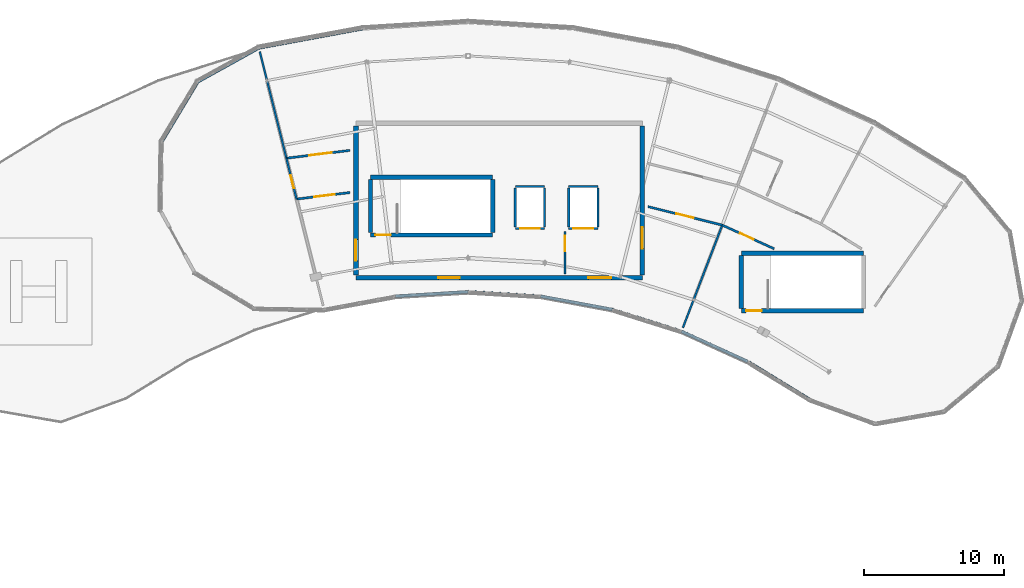
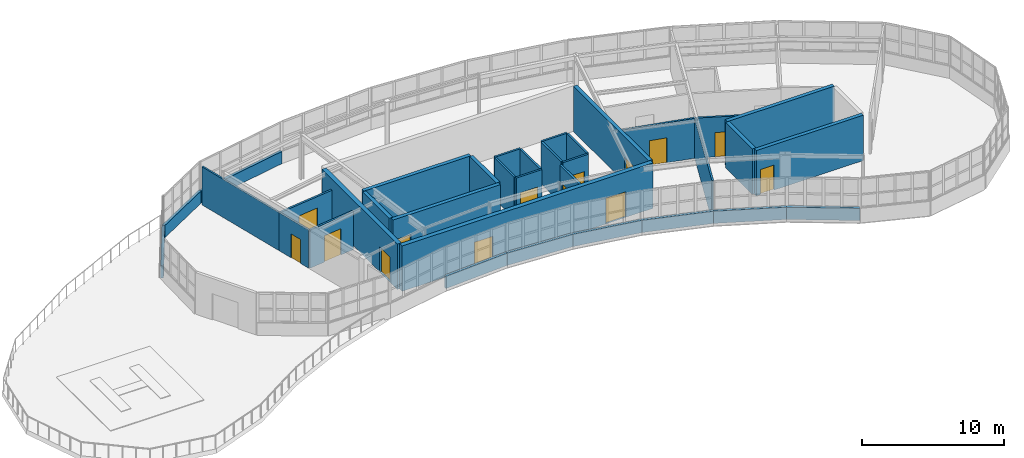
# One storey, part 24 of 26: 35 walls, 14 doors, 14 openings.
"""IFC4 building model written with IfcOpenShell, lengths in metres."""

import ifcopenshell
import ifcopenshell.guid

model = None  # the IFC model being written
_history = None  # IfcOwnerHistory: only IFC2X3 demands one
_inside = {}  # id of a spatial element -> (the spatial element, [elements in it])
_under = {}  # id of a project, library or spatial element -> (it, [spatial elements below it])
_declared = {}  # id of a project -> (the project, [libraries it declares])
_typed = {}  # id of a type object -> (the type object, [elements of that type])
_made_of = {}  # id of a material, layer set ... -> (it, [elements and type objects made of it])


def new_model(schema):
    """Start an empty IFC model of exactly this schema.

    Asked for "IFC4X3", IfcOpenShell would pick the latest addendum, in which some entities
    have other attributes; the version numbers below select the first issue.
    IFC2X3 requires an IfcOwnerHistory on every rooted entity: one is made here for all.
    """
    global model, _history
    if schema == "IFC4X3":
        model = ifcopenshell.file(schema_version=(4, 3, 0, 0))
    else:
        model = ifcopenshell.file(schema=schema)
    _inside.clear()
    _under.clear()
    _declared.clear()
    _typed.clear()
    _made_of.clear()
    _history = None
    if model.schema == "IFC2X3":
        org = make("IfcOrganization", Name="unknown")
        user = make(
            "IfcPersonAndOrganization",
            ThePerson=make("IfcPerson", FamilyName="unknown"),
            TheOrganization=org,
        )
        app = make(
            "IfcApplication",
            ApplicationDeveloper=org,
            Version="unknown",
            ApplicationFullName="unknown",
            ApplicationIdentifier="unknown",
        )
        _history = make(
            "IfcOwnerHistory",
            OwningUser=user,
            OwningApplication=app,
            ChangeAction="ADDED",
            CreationDate=0,
        )
    return model


def make(cls, **values):
    """One entity of the class cls with the attributes given. An attribute that is None is left unset."""
    return model.create_entity(
        cls, **{name: value for name, value in values.items() if value is not None}
    )


def rooted(cls, **values):
    """An entity with a GlobalId (a new one), such as an element, a storey or a relation."""
    return make(cls, GlobalId=ifcopenshell.guid.new(), OwnerHistory=_history, **values)


def si_unit(unit_type, name, prefix=None):
    """IfcSIUnit, for example si_unit("LENGTHUNIT", "METRE", prefix="MILLI")."""
    return make("IfcSIUnit", UnitType=unit_type, Prefix=prefix, Name=name)


def assignment(units):
    """IfcUnitAssignment: the units of a project."""
    return None if units is None else make("IfcUnitAssignment", Units=units)


def point(xyz):
    """IfcCartesianPoint."""
    return None if xyz is None else make("IfcCartesianPoint", Coordinates=xyz)


def direction(xyz):
    """IfcDirection."""
    return None if xyz is None else make("IfcDirection", DirectionRatios=xyz)


def frame(location, z_axis=None, x_axis=None):
    """IfcAxis2Placement3D, a coordinate frame: its origin and axes. An axis left out is left unset."""
    return make(
        "IfcAxis2Placement3D",
        Location=point(location),
        Axis=direction(z_axis),
        RefDirection=direction(x_axis),
    )


def frame_2d(location, x_axis=None):
    """IfcAxis2Placement2D, a coordinate frame in the plane: its origin and x axis."""
    return make(
        "IfcAxis2Placement2D", Location=point(location), RefDirection=direction(x_axis)
    )


def origin():
    """The frame at (0, 0, 0) with its axes left unset."""
    return frame((0.0, 0.0, 0.0))


def place(relative_to, where):
    """IfcLocalPlacement: puts the frame where relative to a parent placement (None: the world)."""
    return make(
        "IfcLocalPlacement", PlacementRelTo=relative_to, RelativePlacement=where
    )


def context(
    kind, dimensions, precision=None, world=None, true_north=None, identifier=None
):
    """IfcGeometricRepresentationContext, for example the 3D "Model" context."""
    return make(
        "IfcGeometricRepresentationContext",
        ContextIdentifier=identifier,
        ContextType=kind,
        CoordinateSpaceDimension=dimensions,
        Precision=precision,
        WorldCoordinateSystem=world,
        TrueNorth=true_north,
    )


def subcontext(parent, identifier, kind, view, scale=None):
    """IfcGeometricRepresentationSubContext, for example "Body" below "Model"."""
    return make(
        "IfcGeometricRepresentationSubContext",
        ContextIdentifier=identifier,
        ContextType=kind,
        ParentContext=parent,
        TargetScale=scale,
        TargetView=view,
    )


def project(units=None, contexts=None):
    """IfcProject with its units and contexts."""
    return rooted(
        "IfcProject",
        Name="project",
        RepresentationContexts=contexts,
        UnitsInContext=assignment(units),
    )


def spatial(cls, under=None, at=None, **own):
    """A site, building, storey or space (cls), placed at a placement, below another one or the project."""
    s = rooted(cls, ObjectPlacement=at, **own)
    if under is not None:
        _under.setdefault(under.id(), (under, []))[1].append(s)
    return s


def profile(cls, at=None, kind="AREA", **sizes):
    """A parametric profile (cls). Its sizes go by their IFC names, for example OverallWidth=200.0."""
    return make(cls, ProfileType=kind, Position=at, **sizes)


def rectangle(**sizes):
    """IfcRectangleProfileDef."""
    return profile("IfcRectangleProfileDef", **sizes)


def extrude(swept, where, along, depth):
    """IfcExtrudedAreaSolid: the profile swept, set in the frame where, extruded along a direction by depth."""
    return make(
        "IfcExtrudedAreaSolid",
        SweptArea=swept,
        Position=where,
        ExtrudedDirection=direction(along),
        Depth=depth,
    )


def shape(context_of_items, identifier, shape_type, items):
    """IfcShapeRepresentation: the items that make up one representation, for example the "Body"."""
    return make(
        "IfcShapeRepresentation",
        ContextOfItems=context_of_items,
        RepresentationIdentifier=identifier,
        RepresentationType=shape_type,
        Items=items,
    )


def material(Name=None, Category=None):
    """IfcMaterial."""
    return make("IfcMaterial", Name=Name, Category=Category)


def layer(
    of_material, thickness, ventilated=None, Name=None, Category=None, Priority=None
):
    """IfcMaterialLayer: one layer of a wall or slab, of a material (None: an air gap)."""
    return make(
        "IfcMaterialLayer",
        Material=of_material,
        LayerThickness=thickness,
        IsVentilated=ventilated,
        Name=Name,
        Category=Category,
        Priority=Priority,
    )


def layer_set(layers, Name=None):
    """IfcMaterialLayerSet."""
    return make("IfcMaterialLayerSet", MaterialLayers=layers, LayerSetName=Name)


def made_of(thing, what):
    """Note that an element or type object is made of a material, layer set ...; save() writes the relation."""
    if what is not None:
        _made_of.setdefault(what.id(), (what, []))[1].append(thing)
    return thing


def type_object(cls, material=None, **own):
    """A type object (cls), such as IfcWallType, which elements share."""
    return made_of(rooted(cls, **own), material)


def element(
    cls,
    number,
    at=None,
    inside=None,
    cuts=None,
    type_object=None,
    material=None,
    context=None,
    identifier="Body",
    shape_type=None,
    held_by="IfcProductDefinitionShape",
    body=None,
    shapes=None,
    **own,
):
    """One element of the class cls, such as IfcWall. Its Tag is "e" and its number.

    at: its placement. inside: the storey or other place that contains it. cuts: it is an
    opening in that element (IfcRelVoidsElement). A single representation is given by context,
    identifier, shape_type and body (its items); several are given by shapes. held_by: the class
    of the entity that holds the representations. save() writes the other relations.
    """
    e = rooted(cls, Tag="e%d" % number, ObjectPlacement=at, **own)
    if body is not None:
        shapes = [shape(context, identifier, shape_type, body)]
    if shapes is not None:
        e.Representation = make(held_by, Representations=shapes)
    if inside is not None:
        _inside.setdefault(inside.id(), (inside, []))[1].append(e)
    if cuts is not None:
        rooted(
            "IfcRelVoidsElement", RelatingBuildingElement=cuts, RelatedOpeningElement=e
        )
    if type_object is not None:
        _typed.setdefault(type_object.id(), (type_object, []))[1].append(e)
    return made_of(e, material)


def fill(opening, filler):
    """IfcRelFillsElement: the door or window that sits in an opening."""
    return rooted(
        "IfcRelFillsElement",
        RelatingOpeningElement=opening,
        RelatedBuildingElement=filler,
    )


def aggregate(whole, parts):
    """IfcRelAggregates: a whole, such as a stair, and the parts it consists of."""
    return rooted("IfcRelAggregates", RelatingObject=whole, RelatedObjects=parts)


def save(model, path):
    """Write the relations noted so far, then the file.

    IfcRelAggregates (storeys below a building ...), IfcRelContainedInSpatialStructure (elements
    in a storey), IfcRelDefinesByType, IfcRelAssociatesMaterial and IfcRelDeclares: one each for
    every whole, place, type object, material and project.
    """
    for whole, parts in _under.values():
        aggregate(whole, parts)
    for where, things in _inside.values():
        rooted(
            "IfcRelContainedInSpatialStructure",
            RelatedElements=things,
            RelatingStructure=where,
        )
    for kind, things in _typed.values():
        rooted("IfcRelDefinesByType", RelatedObjects=things, RelatingType=kind)
    for what, things in _made_of.values():
        rooted("IfcRelAssociatesMaterial", RelatedObjects=things, RelatingMaterial=what)
    for by, libraries in _declared.values():
        rooted("IfcRelDeclares", RelatingContext=by, RelatedDefinitions=libraries)
    model.write(path)


model = new_model("IFC4")

# Units and contexts
model_context = context("Model", 3, precision=1e-05, world=origin(), true_north=direction((0.0, 1.0)))
body_context = subcontext(model_context, "Body", "Model", "MODEL_VIEW")
ifc_project = project(units=[si_unit("LENGTHUNIT", "METRE"), si_unit("AREAUNIT", "SQUARE_METRE"), si_unit("VOLUMEUNIT", "CUBIC_METRE"), si_unit("PLANEANGLEUNIT", "RADIAN"), si_unit("MASSUNIT", "GRAM", prefix="KILO")], contexts=[model_context])

# Site, building, storey
site_placement = place(None, origin())
site = spatial("IfcSite", under=ifc_project, at=site_placement, CompositionType="ELEMENT")
building_placement = place(site_placement, origin())
building = spatial("IfcBuilding", under=site, at=building_placement, Name="Tarnwether General Hospital", CompositionType="ELEMENT")
storey_placement = place(building_placement, frame((0.0, 0.0, 30.0)))
storey = spatial("IfcBuildingStorey", under=building, at=storey_placement, Name="L07", CompositionType="ELEMENT", Elevation=30.0)

# Walls
ifc_material_1 = material(Name="Streamlined white enamelled aluminium", Category="aluminium")
ifc_layer_1 = layer(ifc_material_1, 0.219970703125)
ifc_layer_set_1 = layer_set([ifc_layer_1], Name="Streamlined white enamelled aluminium")
wall_type_1 = type_object("IfcWallType", Name="WL-EX220", PredefinedType="STANDARD", material=ifc_layer_set_1)
wall_1_placement = place(storey_placement, frame((70.19189453125, 116.10107421875, 0.0), z_axis=(0.0, 0.0, 1.0), x_axis=(0.514950831587, 0.857219715737, 0.0)))
element("IfcWall", 1, at=wall_1_placement, inside=storey, type_object=wall_type_1, Name="Ward NW Streamlined White Spandrel EW-L07-0129", PredefinedType="STANDARD", context=body_context, shape_type="SweptSolid", body=[
    extrude(rectangle(XDim=4.969482421875, YDim=0.219970703125, at=frame_2d((2.48486328125, 0.0))), origin(), (0.0, 0.0, 1.0), 1.050048828125),
])
for number, where, z_axis, x_axis, name in (
    (2, (92.0, 105.39990234375, 0.0), (0.0, 0.0, 1.0), (-0.998136079034, -0.061027598104, 0.0), "Ward NW Streamlined White Spandrel EW-L07-0135"),
    (3, (97.1669921875, 105.083984375, 0.0), (0.0, 0.0, 1.0), (-0.998136079034, 0.061027598104, 0.0), "Ward NW Streamlined White Spandrel EW-L07-0136"),
    (4, (102.257080078125, 104.14111328125, 0.0), (0.0, 0.0, 1.0), (-0.98327293422, 0.182138235501, 0.0), "Ward NW Streamlined White Spandrel EW-L07-0137"),
):
    element("IfcWall", number, at=place(storey_placement, frame(where, z_axis=z_axis, x_axis=x_axis)), inside=storey, type_object=wall_type_1, Name=name, PredefinedType="STANDARD", context=body_context, shape_type="SweptSolid", body=[
        extrude(rectangle(XDim=5.1767578125, YDim=0.219970703125, at=frame_2d((2.58837890625, 0.0))), origin(), (0.0, 0.0, 1.0), 1.050048828125),
    ])
wall_2_placement = place(storey_placement, frame((107.195068359375, 102.583984375, 0.0), z_axis=(0.0, 0.0, 1.0), x_axis=(-0.953706582316, 0.300738681994, 0.0)))
element("IfcWall", 5, at=wall_2_placement, inside=storey, type_object=wall_type_1, Name="Ward NW Streamlined White Spandrel EW-L07-0138", PredefinedType="STANDARD", context=body_context, shape_type="SweptSolid", body=[
    extrude(rectangle(XDim=5.177734375, YDim=0.219970703125, at=frame_2d((2.5888671875, 0.0))), origin(), (0.0, 0.0, 1.0), 1.050048828125),
])
for number, where, z_axis, x_axis, name in (
    (6, (111.906005859375, 100.43701171875, 0.0), (0.0, 0.0, 1.0), (-0.909955822384, 0.414705198074, 0.0), "Ward NW Streamlined White Spandrel EW-L07-0139"),
    (7, (116.320068359375, 97.73193359375, 0.0), (0.0, 0.0, 1.0), (-0.852628362135, 0.522517823698, 0.0), "Ward NW Streamlined White Spandrel EW-L07-0140"),
):
    element("IfcWall", number, at=place(storey_placement, frame(where, z_axis=z_axis, x_axis=x_axis)), inside=storey, type_object=wall_type_1, Name=name, PredefinedType="STANDARD", context=body_context, shape_type="SweptSolid", body=[
        extrude(rectangle(XDim=5.177001953125, YDim=0.219970703125, at=frame_2d((2.58837890625, 0.0))), origin(), (0.0, 0.0, 1.0), 1.050048828125),
    ])
wall_3_placement = place(storey_placement, frame((77.097900390625, 122.77001953125, 0.0), z_axis=(0.0, 0.0, 1.0), x_axis=(0.983242805192, 0.18230081195, 0.0)))
element("IfcWall", 8, at=wall_3_placement, inside=storey, type_object=wall_type_1, Name="Ward NW Streamlined White Spandrel EW-L07-0153", PredefinedType="STANDARD", context=body_context, shape_type="SweptSolid", body=[
    extrude(rectangle(XDim=7.52099609375, YDim=0.219970703125, at=frame_2d((3.760498046875, 0.0))), origin(), (0.0, 0.0, 1.0), 1.050048828125),
])
wall_4_placement = place(storey_placement, frame((72.7509765625, 120.361083984375, 0.0), z_axis=(0.0, 0.0, 1.0), x_axis=(0.874671208217, 0.484716698202, 0.0)))
element("IfcWall", 9, at=wall_4_placement, inside=storey, type_object=wall_type_1, Name="Ward NW Streamlined White Spandrel EW-L07-0154", PredefinedType="STANDARD", context=body_context, shape_type="SweptSolid", body=[
    extrude(rectangle(XDim=4.9697265625, YDim=0.219970703125, at=frame_2d((2.48486328125, 0.0))), origin(), (0.0, 0.0, 1.0), 1.050048828125),
])
ifc_material_2 = material(Name="Gypsum plasterboard")
ifc_layer_2 = layer(ifc_material_2, 0.139892578125)
ifc_layer_set_2 = layer_set([ifc_layer_2], Name="Gypsum plasterboard")
wall_type_2 = type_object("IfcWallType", Name="WL-PT140", PredefinedType="PARTITIONING", material=ifc_layer_set_2)
wall_5_placement = place(storey_placement, frame((110.097900390625, 110.14599609375, 0.0), z_axis=(0.0, 0.0, 1.0), x_axis=(-0.358410014332, -0.933564278251, 0.0)))
element("IfcWall", 10, at=wall_5_placement, inside=storey, type_object=wall_type_2, Name="Interior Partition PT-L07-0520", PredefinedType="PARTITIONING", context=body_context, shape_type="SweptSolid", body=[
    extrude(rectangle(XDim=7.820556640625, YDim=0.139892578125, at=frame_2d((3.91015625, 0.0))), origin(), (0.0, 0.0, 1.0), 3.427978515625),
])

# Wall, opening, door
wall_6_placement = place(storey_placement, frame((79.782958984375, 112.0, 0.0), z_axis=(0.0, 0.0, 1.0), x_axis=(-0.242018600037, 0.970271610033, 0.0)))
wall_6 = element("IfcWall", 11, at=wall_6_placement, inside=storey, type_object=wall_type_2, Name="Interior Partition PT-L07-0528", PredefinedType="PARTITIONING", context=body_context, shape_type="SweptSolid", body=[
    extrude(rectangle(XDim=3.0, YDim=0.139892578125, at=frame_2d((1.5, 0.0))), origin(), (0.0, 0.0, 1.0), 3.278076171875),
])
opening_1_placement = place(wall_6_placement, frame((0.800048828125, 0.0, 0.0)))
opening_1 = element("IfcOpeningElement", 12, at=opening_1_placement, cuts=wall_6, Name="Opening D-10", PredefinedType="OPENING", context=body_context, shape_type="SweptSolid", body=[
    extrude(rectangle(XDim=0.9599609375, YDim=2.06005859375, at=frame_2d((0.47998046875, 1.030029296875))), frame((0.0, 0.080078125, 0.0), z_axis=(0.0, -1.0, 0.0), x_axis=(1.0, 0.0, 0.0)), (0.0, 0.0, 1.0), 0.159912109375),
])
ifc_material_3 = material(Name="Anodised aluminium", Category="aluminium")
door_type_1 = type_object("IfcDoorType", Name="DR-IN10", OperationType="NOTDEFINED", PredefinedType="DOOR", material=ifc_material_3)
door_1_placement = place(opening_1_placement, origin())
door_1 = element("IfcDoor", 13, at=door_1_placement, inside=storey, type_object=door_type_1, Name="Interior Door DR-L07-0293", OperationType="SINGLE_SWING_LEFT", OverallHeight=2.06005859375, OverallWidth=0.9599609375, PredefinedType="DOOR", context=body_context, shape_type="SweptSolid", body=[
    extrude(rectangle(XDim=0.9599609375, YDim=2.06005859375, at=frame_2d((0.47998046875, 1.030029296875))), frame((0.0, 0.02490234375, 0.0), z_axis=(0.0, -1.0, 0.0), x_axis=(1.0, 0.0, 0.0)), (0.0, 0.0, 1.0), 0.050048828125),
])
fill(opening_1, door_1)

# Wall
wall_7_placement = place(storey_placement, frame((79.056884765625, 114.910888671875, 0.0), z_axis=(0.0, 0.0, 1.0), x_axis=(-0.241911207257, 0.970298391117, 0.0)))
element("IfcWall", 14, at=wall_7_placement, inside=storey, type_object=wall_type_2, Name="Interior Partition PT-L07-0530", PredefinedType="PARTITIONING", context=body_context, shape_type="SweptSolid", body=[
    extrude(rectangle(XDim=7.8203125, YDim=0.139892578125, at=frame_2d((3.91015625, 0.0))), origin(), (0.0, 0.0, 1.0), 3.278076171875),
])

# Wall, opening, door
ifc_material_4 = material(Name="Gypsum plasterboard")
ifc_layer_3 = layer(ifc_material_4, 0.159912109375)
ifc_layer_set_3 = layer_set([ifc_layer_3], Name="Gypsum plasterboard")
wall_type_3 = type_object("IfcWallType", Name="WL-PT160", PredefinedType="PARTITIONING", material=ifc_layer_set_3)
wall_8_placement = place(storey_placement, frame((95.360107421875, 109.909912109375, 0.0), z_axis=(0.0, 0.0, 1.0), x_axis=(1.0, 0.0, 0.0)))
wall_8 = element("IfcWall", 15, at=wall_8_placement, inside=storey, type_object=wall_type_3, Name="Lift L-01 Shaft Wall LSH-L-01-L07-S", PredefinedType="PARTITIONING", context=body_context, shape_type="SweptSolid", body=[
    extrude(rectangle(XDim=2.079833984375, YDim=0.159912109375, at=frame_2d((1.0400390625, 0.0))), origin(), (0.0, 0.0, 1.0), 3.570068359375),
])
opening_2_placement = place(wall_8_placement, frame((0.340087890625, 0.0, 0.0)))
opening_2 = element("IfcOpeningElement", 16, at=opening_2_placement, cuts=wall_8, Name="Opening LD-01", PredefinedType="OPENING", context=body_context, shape_type="SweptSolid", body=[
    extrude(rectangle(XDim=1.39990234375, YDim=2.199951171875, at=frame_2d((0.699951171875, 1.10009765625))), frame((0.0, 0.08984375, 0.0), z_axis=(0.0, -1.0, 0.0), x_axis=(1.0, 0.0, 0.0)), (0.0, 0.0, 1.0), 0.179931640625),
])
ifc_material_5 = material(Name="Anodised aluminium", Category="aluminium")
door_type_2 = type_object("IfcDoorType", Name="DR-LD01", OperationType="NOTDEFINED", PredefinedType="DOOR", material=ifc_material_5)
door_2_placement = place(opening_2_placement, origin())
door_2 = element("IfcDoor", 17, at=door_2_placement, inside=storey, type_object=door_type_2, Name="Lift L-01 Sliding Landing Door L07", OperationType="SLIDING_TO_LEFT", OverallHeight=2.199951171875, OverallWidth=1.39990234375, PredefinedType="DOOR", context=body_context, shape_type="SweptSolid", body=[
    extrude(rectangle(XDim=1.39990234375, YDim=2.199951171875, at=frame_2d((0.699951171875, 1.10009765625))), frame((0.0, 0.02490234375, 0.0), z_axis=(0.0, -1.0, 0.0), x_axis=(1.0, 0.0, 0.0)), (0.0, 0.0, 1.0), 0.050048828125),
])
fill(opening_2, door_2)

# Walls
wall_9_placement = place(storey_placement, frame((97.43994140625, 112.889892578125, 0.0), z_axis=(0.0, 0.0, 1.0), x_axis=(-1.0, 0.0, 0.0)))
element("IfcWall", 18, at=wall_9_placement, inside=storey, type_object=wall_type_3, Name="Lift L-01 Shaft Wall LSH-L-01-L07-N", PredefinedType="PARTITIONING", context=body_context, shape_type="SweptSolid", body=[
    extrude(rectangle(XDim=2.079833984375, YDim=0.159912109375, at=frame_2d((1.0400390625, 0.0))), origin(), (0.0, 0.0, 1.0), 3.570068359375),
])
for number, where, z_axis, x_axis, name in (
    (19, (95.360107421875, 112.7900390625, 0.0), (0.0, 0.0, 1.0), (0.0, -1.0, 0.0), "Lift L-01 Shaft Wall LSH-L-01-L07-W"),
    (20, (97.43994140625, 110.010009765625, 0.0), (0.0, 0.0, 1.0), (0.0, 1.0, 0.0), "Lift L-01 Shaft Wall LSH-L-01-L07-E"),
):
    element("IfcWall", number, at=place(storey_placement, frame(where, z_axis=z_axis, x_axis=x_axis)), inside=storey, type_object=wall_type_3, Name=name, PredefinedType="PARTITIONING", context=body_context, shape_type="SweptSolid", body=[
        extrude(rectangle(XDim=2.780029296875, YDim=0.159912109375, at=frame_2d((1.39013671875, 0.0))), origin(), (0.0, 0.0, 1.0), 3.570068359375),
    ])

# Wall, opening, door
wall_10_placement = place(storey_placement, frame((99.159912109375, 109.909912109375, 0.0), z_axis=(0.0, 0.0, 1.0), x_axis=(1.0, 0.0, 0.0)))
wall_10 = element("IfcWall", 21, at=wall_10_placement, inside=storey, type_object=wall_type_3, Name="Lift L-03 Shaft Wall LSH-L-03-L07-S", PredefinedType="PARTITIONING", context=body_context, shape_type="SweptSolid", body=[
    extrude(rectangle(XDim=2.080078125, YDim=0.159912109375, at=frame_2d((1.0400390625, 0.0))), origin(), (0.0, 0.0, 1.0), 3.570068359375),
])
opening_3_placement = place(wall_10_placement, frame((0.340087890625, 0.0, 0.0)))
opening_3 = element("IfcOpeningElement", 22, at=opening_3_placement, cuts=wall_10, Name="Opening LD-01", PredefinedType="OPENING", context=body_context, shape_type="SweptSolid", body=[
    extrude(rectangle(XDim=1.39990234375, YDim=2.199951171875, at=frame_2d((0.699951171875, 1.10009765625))), frame((0.0, 0.08984375, 0.0), z_axis=(0.0, -1.0, 0.0), x_axis=(1.0, 0.0, 0.0)), (0.0, 0.0, 1.0), 0.179931640625),
])
door_3_placement = place(opening_3_placement, origin())
door_3 = element("IfcDoor", 23, at=door_3_placement, inside=storey, type_object=door_type_2, Name="Lift L-03 Sliding Landing Door L07", OperationType="SLIDING_TO_LEFT", OverallHeight=2.199951171875, OverallWidth=1.39990234375, PredefinedType="DOOR", context=body_context, shape_type="SweptSolid", body=[
    extrude(rectangle(XDim=1.39990234375, YDim=2.199951171875, at=frame_2d((0.699951171875, 1.10009765625))), frame((0.0, 0.02490234375, 0.0), z_axis=(0.0, -1.0, 0.0), x_axis=(1.0, 0.0, 0.0)), (0.0, 0.0, 1.0), 0.050048828125),
])
fill(opening_3, door_3)

# Walls
wall_11_placement = place(storey_placement, frame((101.239990234375, 112.889892578125, 0.0), z_axis=(0.0, 0.0, 1.0), x_axis=(-1.0, 0.0, 0.0)))
element("IfcWall", 24, at=wall_11_placement, inside=storey, type_object=wall_type_3, Name="Lift L-03 Shaft Wall LSH-L-03-L07-N", PredefinedType="PARTITIONING", context=body_context, shape_type="SweptSolid", body=[
    extrude(rectangle(XDim=2.080078125, YDim=0.159912109375, at=frame_2d((1.0400390625, 0.0))), origin(), (0.0, 0.0, 1.0), 3.570068359375),
])
for number, where, z_axis, x_axis, name in (
    (25, (99.159912109375, 112.7900390625, 0.0), (0.0, 0.0, 1.0), (0.0, -1.0, 0.0), "Lift L-03 Shaft Wall LSH-L-03-L07-W"),
    (26, (101.239990234375, 110.010009765625, 0.0), (0.0, 0.0, 1.0), (0.0, 1.0, 0.0), "Lift L-03 Shaft Wall LSH-L-03-L07-E"),
):
    element("IfcWall", number, at=place(storey_placement, frame(where, z_axis=z_axis, x_axis=x_axis)), inside=storey, type_object=wall_type_3, Name=name, PredefinedType="PARTITIONING", context=body_context, shape_type="SweptSolid", body=[
        extrude(rectangle(XDim=2.780029296875, YDim=0.159912109375, at=frame_2d((1.39013671875, 0.0))), origin(), (0.0, 0.0, 1.0), 3.570068359375),
    ])

# Wall, opening, door
wall_12_placement = place(storey_placement, frame((98.89990234375, 106.64990234375, 0.0), z_axis=(0.0, 0.0, 1.0), x_axis=(0.0, 1.0, 0.0)))
wall_12 = element("IfcWall", 27, at=wall_12_placement, inside=storey, type_object=wall_type_3, Name="Firefighting Lobby Divider K1 L07", PredefinedType="PARTITIONING", context=body_context, shape_type="SweptSolid", body=[
    extrude(rectangle(XDim=3.050048828125, YDim=0.159912109375, at=frame_2d((1.52490234375, 0.0))), origin(), (0.0, 0.0, 1.0), 3.570068359375),
])
opening_4_placement = place(wall_12_placement, frame((1.6298828125, 0.0, 0.0)))
opening_4 = element("IfcOpeningElement", 28, at=opening_4_placement, cuts=wall_12, Name="Opening FD-06", PredefinedType="OPENING", context=body_context, shape_type="SweptSolid", body=[
    extrude(rectangle(XDim=1.10009765625, YDim=2.14990234375, at=frame_2d((0.550048828125, 1.074951171875))), frame((0.0, 0.08984375, 0.0), z_axis=(0.0, -1.0, 0.0), x_axis=(1.0, 0.0, 0.0)), (0.0, 0.0, 1.0), 0.179931640625),
])
ifc_material_6 = material(Name="Anodised aluminium", Category="aluminium")
door_type_3 = type_object("IfcDoorType", Name="DR-FD06", OperationType="NOTDEFINED", PredefinedType="DOOR", material=ifc_material_6)
door_4_placement = place(opening_4_placement, origin())
door_4 = element("IfcDoor", 29, at=door_4_placement, inside=storey, type_object=door_type_3, Name="Core K1 Inter-Lobby Smoke Door L07", OperationType="SINGLE_SWING_RIGHT", OverallHeight=2.14990234375, OverallWidth=1.10009765625, PredefinedType="DOOR", context=body_context, shape_type="SweptSolid", body=[
    extrude(rectangle(XDim=1.10009765625, YDim=2.14990234375, at=frame_2d((0.550048828125, 1.074951171875))), frame((0.0, 0.02490234375, 0.0), z_axis=(0.0, -1.0, 0.0), x_axis=(1.0, 0.0, 0.0)), (0.0, 0.0, 1.0), 0.050048828125),
])
fill(opening_4, door_4)

wall_13_placement = place(storey_placement, frame((79.056884765625, 114.910888671875, 0.0), z_axis=(0.0, 0.0, 1.0), x_axis=(0.992532332473, 0.121981838793, 0.0)))
wall_13 = element("IfcWall", 30, at=wall_13_placement, inside=storey, type_object=wall_type_3, Name="Interior Partition PT-L07-0515", PredefinedType="PARTITIONING", context=body_context, shape_type="SweptSolid", body=[
    extrude(rectangle(XDim=4.5673828125, YDim=0.159912109375, at=frame_2d((2.28369140625, 0.0))), origin(), (0.0, 0.0, 1.0), 3.278076171875),
])
opening_5_placement = place(wall_13_placement, frame((1.634033203125, 0.0, 0.0)))
opening_5 = element("IfcOpeningElement", 31, at=opening_5_placement, cuts=wall_13, Name="Opening SD-02", PredefinedType="OPENING", context=body_context, shape_type="SweptSolid", body=[
    extrude(rectangle(XDim=1.6201171875, YDim=2.300048828125, at=frame_2d((0.81005859375, 1.14990234375))), frame((0.0, 0.08984375, 0.0), z_axis=(0.0, -1.0, 0.0), x_axis=(1.0, 0.0, 0.0)), (0.0, 0.0, 1.0), 0.179931640625),
])
ifc_material_7 = material(Name="Anodised aluminium", Category="aluminium")
door_type_4 = type_object("IfcDoorType", Name="DR-OR02", OperationType="NOTDEFINED", PredefinedType="DOOR", material=ifc_material_7)
door_5_placement = place(opening_5_placement, origin())
door_5 = element("IfcDoor", 32, at=door_5_placement, inside=storey, type_object=door_type_4, Name="Interior Door DR-L07-0285", OperationType="SLIDING_TO_RIGHT", OverallHeight=2.300048828125, OverallWidth=1.6201171875, PredefinedType="DOOR", context=body_context, shape_type="SweptSolid", body=[
    extrude(rectangle(XDim=1.6201171875, YDim=2.300048828125, at=frame_2d((0.81005859375, 1.14990234375))), frame((0.0, 0.02490234375, 0.0), z_axis=(0.0, -1.0, 0.0), x_axis=(1.0, 0.0, 0.0)), (0.0, 0.0, 1.0), 0.050048828125),
])
fill(opening_5, door_5)

wall_14_placement = place(storey_placement, frame((79.782958984375, 112.0, 0.0), z_axis=(0.0, 0.0, 1.0), x_axis=(0.992559253302, 0.121762591482, 0.0)))
wall_14 = element("IfcWall", 33, at=wall_14_placement, inside=storey, type_object=wall_type_3, Name="Interior Partition PT-L07-0516", PredefinedType="PARTITIONING", context=body_context, shape_type="SweptSolid", body=[
    extrude(rectangle(XDim=3.835693359375, YDim=0.159912109375, at=frame_2d((1.91796875, 0.0))), origin(), (0.0, 0.0, 1.0), 3.278076171875),
])
opening_6_placement = place(wall_14_placement, frame((1.26806640625, 0.0, 0.0)))
opening_6 = element("IfcOpeningElement", 34, at=opening_6_placement, cuts=wall_14, Name="Opening SD-03", PredefinedType="OPENING", context=body_context, shape_type="SweptSolid", body=[
    extrude(rectangle(XDim=1.47998046875, YDim=2.260009765625, at=frame_2d((0.739990234375, 1.1298828125))), frame((0.0, 0.08984375, 0.0), z_axis=(0.0, -1.0, 0.0), x_axis=(1.0, 0.0, 0.0)), (0.0, 0.0, 1.0), 0.179931640625),
])
ifc_material_8 = material(Name="Anodised aluminium", Category="aluminium")
door_type_5 = type_object("IfcDoorType", Name="DR-OR03", OperationType="NOTDEFINED", PredefinedType="DOOR", material=ifc_material_8)
door_6_placement = place(opening_6_placement, origin())
door_6 = element("IfcDoor", 35, at=door_6_placement, inside=storey, type_object=door_type_5, Name="Interior Door DR-L07-0286", OperationType="SLIDING_TO_LEFT", OverallHeight=2.260009765625, OverallWidth=1.47998046875, PredefinedType="DOOR", context=body_context, shape_type="SweptSolid", body=[
    extrude(rectangle(XDim=1.47998046875, YDim=2.260009765625, at=frame_2d((0.739990234375, 1.1298828125))), frame((0.0, 0.02490234375, 0.0), z_axis=(0.0, -1.0, 0.0), x_axis=(1.0, 0.0, 0.0)), (0.0, 0.0, 1.0), 0.050048828125),
])
fill(opening_6, door_6)

wall_15_placement = place(storey_placement, frame((104.81005859375, 111.464111328125, 0.0), z_axis=(0.0, 0.0, 1.0), x_axis=(0.970308293834, -0.241871484298, 0.0)))
wall_15 = element("IfcWall", 36, at=wall_15_placement, inside=storey, type_object=wall_type_3, Name="Interior Partition PT-L07-0519", PredefinedType="PARTITIONING", context=body_context, shape_type="SweptSolid", body=[
    extrude(rectangle(XDim=5.44970703125, YDim=0.159912109375, at=frame_2d((2.724853515625, 0.0))), origin(), (0.0, 0.0, 1.0), 3.427978515625),
])
opening_7_placement = place(wall_15_placement, frame((2.074951171875, 0.0, 0.0)))
opening_7 = element("IfcOpeningElement", 37, at=opening_7_placement, cuts=wall_15, Name="Opening D-04", PredefinedType="OPENING", context=body_context, shape_type="SweptSolid", body=[
    extrude(rectangle(XDim=1.260009765625, YDim=2.139892578125, at=frame_2d((0.6298828125, 1.06982421875))), frame((0.0, 0.08984375, 0.0), z_axis=(0.0, -1.0, 0.0), x_axis=(1.0, 0.0, 0.0)), (0.0, 0.0, 1.0), 0.179931640625),
])
ifc_material_9 = material(Name="Anodised aluminium", Category="aluminium")
door_type_6 = type_object("IfcDoorType", Name="DR-IN04", OperationType="NOTDEFINED", PredefinedType="DOOR", material=ifc_material_9)
door_7_placement = place(opening_7_placement, origin())
door_7 = element("IfcDoor", 38, at=door_7_placement, inside=storey, type_object=door_type_6, Name="Interior Door DR-L07-0288", OperationType="SINGLE_SWING_RIGHT", OverallHeight=2.139892578125, OverallWidth=1.260009765625, PredefinedType="DOOR", context=body_context, shape_type="SweptSolid", body=[
    extrude(rectangle(XDim=1.260009765625, YDim=2.139892578125, at=frame_2d((0.6298828125, 1.06982421875))), frame((0.0, 0.02490234375, 0.0), z_axis=(0.0, -1.0, 0.0), x_axis=(1.0, 0.0, 0.0)), (0.0, 0.0, 1.0), 0.050048828125),
])
fill(opening_7, door_7)

wall_16_placement = place(storey_placement, frame((110.097900390625, 110.14599609375, 0.0), z_axis=(0.0, 0.0, 1.0), x_axis=(0.909942329762, -0.414734802623, 0.0)))
wall_16 = element("IfcWall", 39, at=wall_16_placement, inside=storey, type_object=wall_type_3, Name="Interior Partition PT-L07-0525", PredefinedType="PARTITIONING", context=body_context, shape_type="SweptSolid", body=[
    extrude(rectangle(XDim=4.0654296875, YDim=0.159912109375, at=frame_2d((2.03271484375, 0.0))), origin(), (0.0, 0.0, 1.0), 3.427978515625),
])
opening_8_placement = place(wall_16_placement, frame((1.383056640625, 0.0, 0.0)))
opening_8 = element("IfcOpeningElement", 40, at=opening_8_placement, cuts=wall_16, Name="Opening D-08", PredefinedType="OPENING", context=body_context, shape_type="SweptSolid", body=[
    extrude(rectangle(XDim=1.06005859375, YDim=2.10009765625, at=frame_2d((0.530029296875, 1.050048828125))), frame((0.0, 0.08984375, 0.0), z_axis=(0.0, -1.0, 0.0), x_axis=(1.0, 0.0, 0.0)), (0.0, 0.0, 1.0), 0.179931640625),
])
ifc_material_10 = material(Name="Anodised aluminium", Category="aluminium")
door_type_7 = type_object("IfcDoorType", Name="DR-IN08", OperationType="NOTDEFINED", PredefinedType="DOOR", material=ifc_material_10)
door_8_placement = place(opening_8_placement, origin())
door_8 = element("IfcDoor", 41, at=door_8_placement, inside=storey, type_object=door_type_7, Name="Interior Door DR-L07-0291", OperationType="SINGLE_SWING_LEFT", OverallHeight=2.10009765625, OverallWidth=1.06005859375, PredefinedType="DOOR", context=body_context, shape_type="SweptSolid", body=[
    extrude(rectangle(XDim=1.06005859375, YDim=2.10009765625, at=frame_2d((0.530029296875, 1.050048828125))), frame((0.0, 0.02490234375, 0.0), z_axis=(0.0, -1.0, 0.0), x_axis=(1.0, 0.0, 0.0)), (0.0, 0.0, 1.0), 0.050048828125),
])
fill(opening_8, door_8)

ifc_material_11 = material(Name="Concrete 50 MPa", Category="concrete")
ifc_layer_4 = layer(ifc_material_11, 0.300048828125)
ifc_layer_set_4 = layer_set([ifc_layer_4], Name="Concrete 50 MPa")
wall_type_4 = type_object("IfcWallType", Name="WL-SW300", PredefinedType="SHEAR", material=ifc_layer_set_4)
wall_17_placement = place(storey_placement, frame((104.39990234375, 117.199951171875, 0.0), z_axis=(0.0, 0.0, 1.0), x_axis=(0.0, -1.0, 0.0)))
wall_17 = element("IfcWall", 42, at=wall_17_placement, inside=storey, type_object=wall_type_4, Name="Core Shear Wall CWALL-K1-L07-E", PredefinedType="SHEAR", context=body_context, shape_type="SweptSolid", body=[
    extrude(rectangle(XDim=10.599853515625, YDim=0.300048828125, at=frame_2d((5.2998046875, 0.0))), origin(), (0.0, 0.0, 1.0), 3.89990234375),
])
opening_9_placement = place(wall_17_placement, frame((7.199951171875, 0.0, 0.0)))
opening_9 = element("IfcOpeningElement", 43, at=opening_9_placement, cuts=wall_17, Name="Opening FD-02", PredefinedType="OPENING", context=body_context, shape_type="SweptSolid", body=[
    extrude(rectangle(XDim=1.52001953125, YDim=2.159912109375, at=frame_2d((0.760009765625, 1.080078125))), frame((0.0, 0.16015625, 0.0), z_axis=(0.0, -1.0, 0.0), x_axis=(1.0, 0.0, 0.0)), (0.0, 0.0, 1.0), 0.320068359375),
])
ifc_material_12 = material(Name="Anodised aluminium", Category="aluminium")
door_type_8 = type_object("IfcDoorType", Name="DR-FD02", OperationType="NOTDEFINED", PredefinedType="DOOR", material=ifc_material_12)
door_9_placement = place(opening_9_placement, origin())
door_9 = element("IfcDoor", 44, at=door_9_placement, inside=storey, type_object=door_type_8, Name="Core K1 Ward Corridor Fire Door L07", OperationType="SINGLE_SWING_RIGHT", OverallHeight=2.159912109375, OverallWidth=1.52001953125, PredefinedType="DOOR", context=body_context, shape_type="SweptSolid", body=[
    extrude(rectangle(XDim=1.52001953125, YDim=2.159912109375, at=frame_2d((0.760009765625, 1.080078125))), frame((0.0, 0.02490234375, 0.0), z_axis=(0.0, -1.0, 0.0), x_axis=(1.0, 0.0, 0.0)), (0.0, 0.0, 1.0), 0.050048828125),
])
fill(opening_9, door_9)

wall_18_placement = place(storey_placement, frame((85.050048828125, 109.449951171875, 0.0), z_axis=(0.0, 0.0, 1.0), x_axis=(1.0, 0.0, 0.0)))
wall_18 = element("IfcWall", 45, at=wall_18_placement, inside=storey, type_object=wall_type_4, Name="Stairwell Shear Wall STW-ST-01-L07-B", PredefinedType="SHEAR", context=body_context, shape_type="SweptSolid", body=[
    extrude(rectangle(XDim=8.699951171875, YDim=0.300048828125, at=frame_2d((4.35009765625, 0.0))), origin(), (0.0, 0.0, 1.0), 3.89990234375),
])
opening_10_placement = place(wall_18_placement, frame((0.35009765625, 0.0, 0.0)))
opening_10 = element("IfcOpeningElement", 46, at=opening_10_placement, cuts=wall_18, Name="Opening FD-06", PredefinedType="OPENING", context=body_context, shape_type="SweptSolid", body=[
    extrude(rectangle(XDim=1.10009765625, YDim=2.14990234375, at=frame_2d((0.550048828125, 1.074951171875))), frame((0.0, 0.16015625, 0.0), z_axis=(0.0, -1.0, 0.0), x_axis=(1.0, 0.0, 0.0)), (0.0, 0.0, 1.0), 0.320068359375),
])
door_10_placement = place(opening_10_placement, origin())
door_10 = element("IfcDoor", 47, at=door_10_placement, inside=storey, type_object=door_type_3, Name="Stairwell ST-01 Safe-Path Fire Door L07", OperationType="SINGLE_SWING_RIGHT", OverallHeight=2.14990234375, OverallWidth=1.10009765625, PredefinedType="DOOR", context=body_context, shape_type="SweptSolid", body=[
    extrude(rectangle(XDim=1.10009765625, YDim=2.14990234375, at=frame_2d((0.550048828125, 1.074951171875))), frame((0.0, 0.02490234375, 0.0), z_axis=(0.0, -1.0, 0.0), x_axis=(1.0, 0.0, 0.0)), (0.0, 0.0, 1.0), 0.050048828125),
])
fill(opening_10, door_10)

# Walls
wall_19_placement = place(storey_placement, frame((93.75, 113.550048828125, 0.0), z_axis=(0.0, 0.0, 1.0), x_axis=(-1.0, 0.0, 0.0)))
element("IfcWall", 48, at=wall_19_placement, inside=storey, type_object=wall_type_4, Name="Stairwell Shear Wall STW-ST-01-L07-N", PredefinedType="SHEAR", context=body_context, shape_type="SweptSolid", body=[
    extrude(rectangle(XDim=8.699951171875, YDim=0.300048828125, at=frame_2d((4.35009765625, 0.0))), origin(), (0.0, 0.0, 1.0), 3.89990234375),
])
for number, where, z_axis, x_axis, name in (
    (49, (85.050048828125, 109.6201171875, 0.0), (0.0, 0.0, 1.0), (0.0, 1.0, 0.0), "Stairwell Shear Wall STW-ST-01-L07-L"),
    (50, (93.75, 109.6201171875, 0.0), (0.0, 0.0, 1.0), (0.0, 1.0, 0.0), "Stairwell Shear Wall STW-ST-01-L07-F"),
):
    element("IfcWall", number, at=place(storey_placement, frame(where, z_axis=z_axis, x_axis=x_axis)), inside=storey, type_object=wall_type_4, Name=name, PredefinedType="SHEAR", context=body_context, shape_type="SweptSolid", body=[
        extrude(rectangle(XDim=3.759765625, YDim=0.300048828125, at=frame_2d((1.8798828125, 0.0))), origin(), (0.0, 0.0, 1.0), 3.89990234375),
    ])

# Wall, opening, door
wall_20_placement = place(storey_placement, frame((111.449951171875, 104.050048828125, 0.0), z_axis=(0.0, 0.0, 1.0), x_axis=(1.0, 0.0, 0.0)))
wall_20 = element("IfcWall", 51, at=wall_20_placement, inside=storey, type_object=wall_type_4, Name="Stairwell Shear Wall STW-ST-08-L07-B", PredefinedType="SHEAR", context=body_context, shape_type="SweptSolid", body=[
    extrude(rectangle(XDim=8.699951171875, YDim=0.300048828125, at=frame_2d((4.35009765625, 0.0))), origin(), (0.0, 0.0, 1.0), 3.89990234375),
])
opening_11_placement = place(wall_20_placement, frame((0.35009765625, 0.0, 0.0)))
opening_11 = element("IfcOpeningElement", 52, at=opening_11_placement, cuts=wall_20, Name="Opening FD-06", PredefinedType="OPENING", context=body_context, shape_type="SweptSolid", body=[
    extrude(rectangle(XDim=1.10009765625, YDim=2.14990234375, at=frame_2d((0.550048828125, 1.074951171875))), frame((0.0, 0.16015625, 0.0), z_axis=(0.0, -1.0, 0.0), x_axis=(1.0, 0.0, 0.0)), (0.0, 0.0, 1.0), 0.320068359375),
])
door_11_placement = place(opening_11_placement, origin())
door_11 = element("IfcDoor", 53, at=door_11_placement, inside=storey, type_object=door_type_3, Name="Stairwell ST-08 Safe-Path Fire Door L07", OperationType="SINGLE_SWING_LEFT", OverallHeight=2.14990234375, OverallWidth=1.10009765625, PredefinedType="DOOR", context=body_context, shape_type="SweptSolid", body=[
    extrude(rectangle(XDim=1.10009765625, YDim=2.14990234375, at=frame_2d((0.550048828125, 1.074951171875))), frame((0.0, 0.02490234375, 0.0), z_axis=(0.0, -1.0, 0.0), x_axis=(1.0, 0.0, 0.0)), (0.0, 0.0, 1.0), 0.050048828125),
])
fill(opening_11, door_11)

# Walls
wall_21_placement = place(storey_placement, frame((120.14990234375, 108.14990234375, 0.0), z_axis=(0.0, 0.0, 1.0), x_axis=(-1.0, 0.0, 0.0)))
element("IfcWall", 54, at=wall_21_placement, inside=storey, type_object=wall_type_4, Name="Stairwell Shear Wall STW-ST-08-L07-N", PredefinedType="SHEAR", context=body_context, shape_type="SweptSolid", body=[
    extrude(rectangle(XDim=8.699951171875, YDim=0.300048828125, at=frame_2d((4.35009765625, 0.0))), origin(), (0.0, 0.0, 1.0), 3.89990234375),
])
wall_22_placement = place(storey_placement, frame((111.449951171875, 104.219970703125, 0.0), z_axis=(0.0, 0.0, 1.0), x_axis=(0.0, 1.0, 0.0)))
element("IfcWall", 55, at=wall_22_placement, inside=storey, type_object=wall_type_4, Name="Stairwell Shear Wall STW-ST-08-L07-L", PredefinedType="SHEAR", context=body_context, shape_type="SweptSolid", body=[
    extrude(rectangle(XDim=3.760009765625, YDim=0.300048828125, at=frame_2d((1.8798828125, 0.0))), origin(), (0.0, 0.0, 1.0), 3.89990234375),
])

# Wall, openings, doors
ifc_material_13 = material(Name="Concrete 50 MPa", Category="concrete")
ifc_layer_5 = layer(ifc_material_13, 0.35009765625)
ifc_layer_set_5 = layer_set([ifc_layer_5], Name="Concrete 50 MPa")
wall_type_5 = type_object("IfcWallType", Name="WL-SW350", PredefinedType="SHEAR", material=ifc_layer_set_5)
wall_23_placement = place(storey_placement, frame((104.39990234375, 106.39990234375, 0.0), z_axis=(0.0, 0.0, 1.0), x_axis=(-1.0, 0.0, 0.0)))
wall_23 = element("IfcWall", 56, at=wall_23_placement, inside=storey, type_object=wall_type_5, Name="Core Shear Wall CWALL-K1-L07-S", PredefinedType="SHEAR", context=body_context, shape_type="SweptSolid", body=[
    extrude(rectangle(XDim=20.39990234375, YDim=0.35009765625, at=frame_2d((10.199951171875, 0.0))), origin(), (0.0, 0.0, 1.0), 3.89990234375),
])
opening_12_placement = place(wall_23_placement, frame((2.199951171875, 0.0, 0.0)))
opening_12 = element("IfcOpeningElement", 57, at=opening_12_placement, cuts=wall_23, Name="Opening FD-01", PredefinedType="OPENING", context=body_context, shape_type="SweptSolid", body=[
    extrude(rectangle(XDim=1.639892578125, YDim=2.199951171875, at=frame_2d((0.81982421875, 1.10009765625))), frame((0.0, 0.18505859375, 0.0), z_axis=(0.0, -1.0, 0.0), x_axis=(1.0, 0.0, 0.0)), (0.0, 0.0, 1.0), 0.3701171875),
])
opening_13_placement = place(wall_23_placement, frame((13.0, 0.0, 0.0)))
opening_13 = element("IfcOpeningElement", 58, at=opening_13_placement, cuts=wall_23, Name="Opening FD-02", PredefinedType="OPENING", context=body_context, shape_type="SweptSolid", body=[
    extrude(rectangle(XDim=1.52001953125, YDim=2.159912109375, at=frame_2d((0.760009765625, 1.080078125))), frame((0.0, 0.18505859375, 0.0), z_axis=(0.0, -1.0, 0.0), x_axis=(1.0, 0.0, 0.0)), (0.0, 0.0, 1.0), 0.3701171875),
])
ifc_material_14 = material(Name="Anodised aluminium", Category="aluminium")
door_type_9 = type_object("IfcDoorType", Name="DR-FD01", OperationType="NOTDEFINED", PredefinedType="DOOR", material=ifc_material_14)
door_12_placement = place(opening_12_placement, origin())
door_12 = element("IfcDoor", 59, at=door_12_placement, inside=storey, type_object=door_type_9, Name="Core K1 Lobby Fire Door L07", OperationType="DOUBLE_DOOR_SINGLE_SWING", OverallHeight=2.199951171875, OverallWidth=1.639892578125, PredefinedType="DOOR", context=body_context, shape_type="SweptSolid", body=[
    extrude(rectangle(XDim=1.639892578125, YDim=2.199951171875, at=frame_2d((0.81982421875, 1.10009765625))), frame((0.0, 0.02490234375, 0.0), z_axis=(0.0, -1.0, 0.0), x_axis=(1.0, 0.0, 0.0)), (0.0, 0.0, 1.0), 0.050048828125),
])
fill(opening_12, door_12)
door_13_placement = place(opening_13_placement, origin())
door_13 = element("IfcDoor", 60, at=door_13_placement, inside=storey, type_object=door_type_8, Name="Core K1 Firefighting Lobby Door L07", OperationType="SINGLE_SWING_RIGHT", OverallHeight=2.159912109375, OverallWidth=1.52001953125, PredefinedType="DOOR", context=body_context, shape_type="SweptSolid", body=[
    extrude(rectangle(XDim=1.52001953125, YDim=2.159912109375, at=frame_2d((0.760009765625, 1.080078125))), frame((0.0, 0.02490234375, 0.0), z_axis=(0.0, -1.0, 0.0), x_axis=(1.0, 0.0, 0.0)), (0.0, 0.0, 1.0), 0.050048828125),
])
fill(opening_13, door_13)

# Wall, opening, door
wall_24_placement = place(storey_placement, frame((84.0, 106.60009765625, 0.0), z_axis=(0.0, 0.0, 1.0), x_axis=(0.0, 1.0, 0.0)))
wall_24 = element("IfcWall", 61, at=wall_24_placement, inside=storey, type_object=wall_type_5, Name="Core Shear Wall CWALL-K1-L07-W", PredefinedType="SHEAR", context=body_context, shape_type="SweptSolid", body=[
    extrude(rectangle(XDim=10.599853515625, YDim=0.35009765625, at=frame_2d((5.2998046875, 0.0))), origin(), (0.0, 0.0, 1.0), 3.89990234375),
])
opening_14_placement = place(wall_24_placement, frame((1.0, 0.0, 0.0)))
opening_14 = element("IfcOpeningElement", 62, at=opening_14_placement, cuts=wall_24, Name="Opening FD-02", PredefinedType="OPENING", context=body_context, shape_type="SweptSolid", body=[
    extrude(rectangle(XDim=1.52001953125, YDim=2.159912109375, at=frame_2d((0.760009765625, 1.080078125))), frame((0.0, 0.18505859375, 0.0), z_axis=(0.0, -1.0, 0.0), x_axis=(1.0, 0.0, 0.0)), (0.0, 0.0, 1.0), 0.3701171875),
])
door_14_placement = place(opening_14_placement, origin())
door_14 = element("IfcDoor", 63, at=door_14_placement, inside=storey, type_object=door_type_8, Name="Core K1 Ward Corridor Fire Door L07", OperationType="SINGLE_SWING_LEFT", OverallHeight=2.159912109375, OverallWidth=1.52001953125, PredefinedType="DOOR", context=body_context, shape_type="SweptSolid", body=[
    extrude(rectangle(XDim=1.52001953125, YDim=2.159912109375, at=frame_2d((0.760009765625, 1.080078125))), frame((0.0, 0.02490234375, 0.0), z_axis=(0.0, -1.0, 0.0), x_axis=(1.0, 0.0, 0.0)), (0.0, 0.0, 1.0), 0.050048828125),
])
fill(opening_14, door_14)

save(model, "model.ifc")
